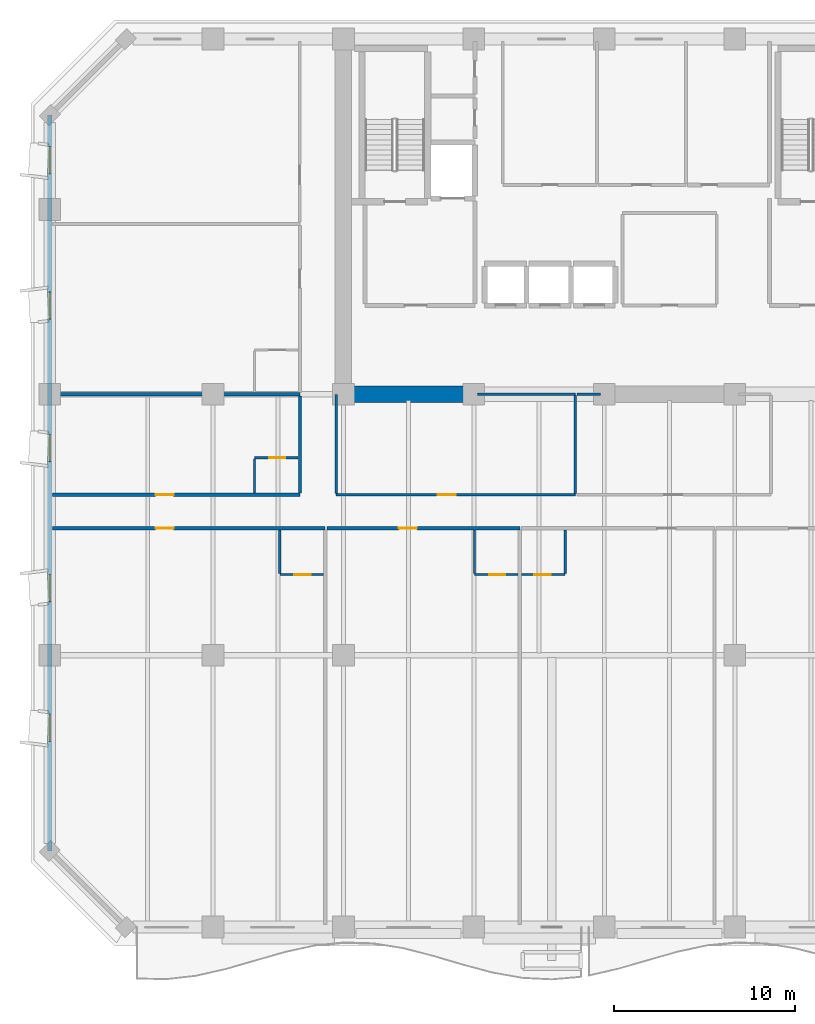
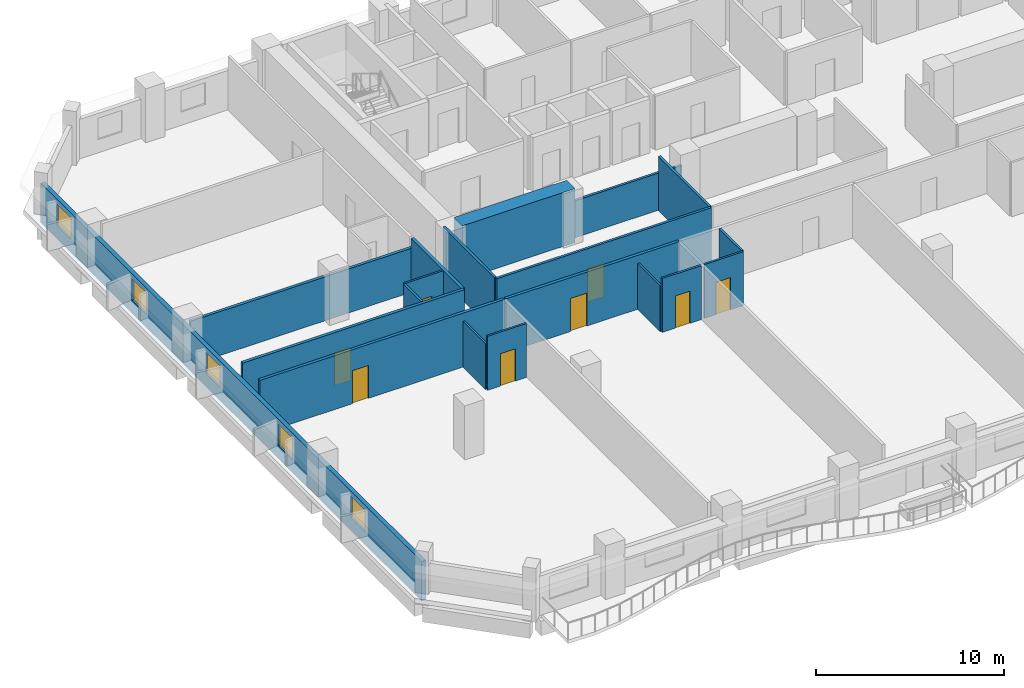
# One storey, part 4 of 15: 20 walls, 8 doors, 5 windows, 13 openings.
"""IFC4 building model written with IfcOpenShell, lengths in metres."""

from ifc_helpers import new_model, si_unit, direction, frame, frame_2d, origin, place, context, subcontext, project, spatial, rectangle, extrude, material, layer, layer_set, type_object, element, fill, save


model = new_model("IFC4")

# Units and contexts
model_context = context("Model", 3, precision=1e-05, world=origin(), true_north=direction((0.0, 1.0)))
body_context = subcontext(model_context, "Body", "Model", "MODEL_VIEW")
ifc_project = project(units=[si_unit("LENGTHUNIT", "METRE"), si_unit("AREAUNIT", "SQUARE_METRE"), si_unit("VOLUMEUNIT", "CUBIC_METRE"), si_unit("PLANEANGLEUNIT", "RADIAN"), si_unit("MASSUNIT", "GRAM", prefix="KILO")], contexts=[model_context])

# Site, building, storey
site_placement = place(None, origin())
site = spatial("IfcSite", under=ifc_project, at=site_placement, CompositionType="ELEMENT")
building_placement = place(site_placement, origin())
building = spatial("IfcBuilding", under=site, at=building_placement, Name="Kaelvorn Grand Hotel", CompositionType="ELEMENT")
storey_placement = place(building_placement, frame((0.0, 0.0, 104.300048828125)))
storey = spatial("IfcBuildingStorey", under=building, at=storey_placement, Name="L24", CompositionType="ELEMENT", Elevation=104.300048828125)

# Wall
ifc_material_1 = material(Name="Concrete C60/75", Category="concrete")
ifc_layer_1 = layer(ifc_material_1, 0.89990234375)
ifc_layer_set_1 = layer_set([ifc_layer_1], Name="Concrete C60/75")
wall_type_1 = type_object("IfcWallType", Name="WL-CORE-900-C60", PredefinedType="SHEAR", material=ifc_layer_set_1)
wall_1_placement = place(storey_placement, frame((16.655029296875, 29.39990234375, 0.0), z_axis=(0.0, 0.0, 1.0), x_axis=(1.0, 0.0, 0.0)))
element("IfcWall", 1, at=wall_1_placement, inside=storey, type_object=wall_type_1, Name="L24 Rear-Core Coupled Shear Pier S1", PredefinedType="SHEAR", context=body_context, shape_type="SweptSolid", body=[
    extrude(rectangle(XDim=6.945068359375, YDim=0.89990234375, at=frame_2d((3.47265625, 0.0))), origin(), (0.0, 0.0, 1.0), 3.510009765625),
])

# Wall, openings, windows
ifc_material_2 = material(Name="Concrete C40/50", Category="concrete")
ifc_layer_2 = layer(ifc_material_2, 0.260009765625)
ifc_layer_set_2 = layer_set([ifc_layer_2], Name="Concrete C40/50")
wall_type_2 = type_object("IfcWallType", Name="WL-EXT-260-C40", PredefinedType="SOLIDWALL", material=ifc_layer_set_2)
wall_2_placement = place(storey_placement, frame((0.0, 44.800048828125, 0.0), z_axis=(0.0, 0.0, 1.0), x_axis=(0.0, -1.0, 0.0)))
wall_2 = element("IfcWall", 2, at=wall_2_placement, inside=storey, type_object=wall_type_2, Name="L24 Exterior Architectural Concrete Wall 07", PredefinedType="SOLIDWALL", context=body_context, shape_type="SweptSolid", body=[
    extrude(rectangle(XDim=40.60009765625, YDim=0.260009765625, at=frame_2d((20.300048828125, 0.0))), origin(), (0.0, 0.0, 1.0), 2.56005859375),
])
opening_1_placement = place(wall_2_placement, frame((33.050048828125, 0.0, 0.85009765625)))
opening_1 = element("IfcOpeningElement", 3, at=opening_1_placement, cuts=wall_2, Name="Opening W10", PredefinedType="OPENING", context=body_context, shape_type="SweptSolid", body=[
    extrude(rectangle(XDim=1.5, YDim=1.39990234375, at=frame_2d((0.75, 0.699951171875))), frame((0.0, 0.14013671875, 0.0), z_axis=(0.0, -1.0, 0.0), x_axis=(1.0, 0.0, 0.0)), (0.0, 0.0, 1.0), 0.280029296875),
])
opening_2_placement = place(wall_2_placement, frame((25.35009765625, 0.0, 0.85009765625)))
opening_2 = element("IfcOpeningElement", 4, at=opening_2_placement, cuts=wall_2, Name="Opening W10", PredefinedType="OPENING", context=body_context, shape_type="SweptSolid", body=[
    extrude(rectangle(XDim=1.5, YDim=1.39990234375, at=frame_2d((0.75, 0.699951171875))), frame((0.0, 0.14013671875, 0.0), z_axis=(0.0, -1.0, 0.0), x_axis=(1.0, 0.0, 0.0)), (0.0, 0.0, 1.0), 0.280029296875),
])
opening_3_placement = place(wall_2_placement, frame((17.625, 0.0, 0.85009765625)))
opening_3 = element("IfcOpeningElement", 5, at=opening_3_placement, cuts=wall_2, Name="Opening W10", PredefinedType="OPENING", context=body_context, shape_type="SweptSolid", body=[
    extrude(rectangle(XDim=1.5, YDim=1.39990234375, at=frame_2d((0.75, 0.699951171875))), frame((0.0, 0.14013671875, 0.0), z_axis=(0.0, -1.0, 0.0), x_axis=(1.0, 0.0, 0.0)), (0.0, 0.0, 1.0), 0.280029296875),
])
opening_4_placement = place(wall_2_placement, frame((9.75, 0.0, 0.85009765625)))
opening_4 = element("IfcOpeningElement", 6, at=opening_4_placement, cuts=wall_2, Name="Opening W10", PredefinedType="OPENING", context=body_context, shape_type="SweptSolid", body=[
    extrude(rectangle(XDim=1.5, YDim=1.39990234375, at=frame_2d((0.75, 0.699951171875))), frame((0.0, 0.14013671875, 0.0), z_axis=(0.0, -1.0, 0.0), x_axis=(1.0, 0.0, 0.0)), (0.0, 0.0, 1.0), 0.280029296875),
])
opening_5_placement = place(wall_2_placement, frame((1.735107421875, 0.0, 0.85009765625)))
opening_5 = element("IfcOpeningElement", 7, at=opening_5_placement, cuts=wall_2, Name="Opening W10", PredefinedType="OPENING", context=body_context, shape_type="SweptSolid", body=[
    extrude(rectangle(XDim=1.5, YDim=1.39990234375, at=frame_2d((0.75, 0.699951171875))), frame((0.0, 0.14013671875, 0.0), z_axis=(0.0, -1.0, 0.0), x_axis=(1.0, 0.0, 0.0)), (0.0, 0.0, 1.0), 0.280029296875),
])
ifc_material_3 = material(Name="Laminated Low-E Glass", Category="glass")
window_type = type_object("IfcWindowType", Name="WIN-COR-1500x1400", PartitioningType="SINGLE_PANEL", PredefinedType="WINDOW", material=ifc_material_3)
window_1_placement = place(opening_1_placement, origin())
window_1 = element("IfcWindow", 8, at=window_1_placement, inside=storey, type_object=window_type, Name="L24 W Wing Tilted-Frame Ribbon Window W01", OverallHeight=1.39990234375, OverallWidth=1.5, PartitioningType="SINGLE_PANEL", PredefinedType="WINDOW", context=body_context, shape_type="SweptSolid", body=[
    extrude(rectangle(XDim=1.5, YDim=1.39990234375, at=frame_2d((0.75, 0.699951171875))), frame((0.0, 0.030029296875, 0.0), z_axis=(0.0, -1.0, 0.0), x_axis=(1.0, 0.0, 0.0)), (0.0, 0.0, 1.0), 0.06005859375),
])
fill(opening_1, window_1)
window_2_placement = place(opening_2_placement, origin())
window_2 = element("IfcWindow", 9, at=window_2_placement, inside=storey, type_object=window_type, Name="L24 W Wing Tilted-Frame Ribbon Window W02", OverallHeight=1.39990234375, OverallWidth=1.5, PartitioningType="SINGLE_PANEL", PredefinedType="WINDOW", context=body_context, shape_type="SweptSolid", body=[
    extrude(rectangle(XDim=1.5, YDim=1.39990234375, at=frame_2d((0.75, 0.699951171875))), frame((0.0, 0.030029296875, 0.0), z_axis=(0.0, -1.0, 0.0), x_axis=(1.0, 0.0, 0.0)), (0.0, 0.0, 1.0), 0.06005859375),
])
fill(opening_2, window_2)
window_3_placement = place(opening_3_placement, origin())
window_3 = element("IfcWindow", 10, at=window_3_placement, inside=storey, type_object=window_type, Name="L24 W Wing Tilted-Frame Ribbon Window W03", OverallHeight=1.39990234375, OverallWidth=1.5, PartitioningType="SINGLE_PANEL", PredefinedType="WINDOW", context=body_context, shape_type="SweptSolid", body=[
    extrude(rectangle(XDim=1.5, YDim=1.39990234375, at=frame_2d((0.75, 0.699951171875))), frame((0.0, 0.030029296875, 0.0), z_axis=(0.0, -1.0, 0.0), x_axis=(1.0, 0.0, 0.0)), (0.0, 0.0, 1.0), 0.06005859375),
])
fill(opening_3, window_3)
window_4_placement = place(opening_4_placement, origin())
window_4 = element("IfcWindow", 11, at=window_4_placement, inside=storey, type_object=window_type, Name="L24 W Wing Tilted-Frame Ribbon Window W04", OverallHeight=1.39990234375, OverallWidth=1.5, PartitioningType="SINGLE_PANEL", PredefinedType="WINDOW", context=body_context, shape_type="SweptSolid", body=[
    extrude(rectangle(XDim=1.5, YDim=1.39990234375, at=frame_2d((0.75, 0.699951171875))), frame((0.0, 0.030029296875, 0.0), z_axis=(0.0, -1.0, 0.0), x_axis=(1.0, 0.0, 0.0)), (0.0, 0.0, 1.0), 0.06005859375),
])
fill(opening_4, window_4)
window_5_placement = place(opening_5_placement, origin())
window_5 = element("IfcWindow", 12, at=window_5_placement, inside=storey, type_object=window_type, Name="L24 W Wing Tilted-Frame Ribbon Window W05", OverallHeight=1.39990234375, OverallWidth=1.5, PartitioningType="SINGLE_PANEL", PredefinedType="WINDOW", context=body_context, shape_type="SweptSolid", body=[
    extrude(rectangle(XDim=1.5, YDim=1.39990234375, at=frame_2d((0.75, 0.699951171875))), frame((0.0, 0.030029296875, 0.0), z_axis=(0.0, -1.0, 0.0), x_axis=(1.0, 0.0, 0.0)), (0.0, 0.0, 1.0), 0.06005859375),
])
fill(opening_5, window_5)

# Wall, opening, door
ifc_material_4 = material(Name="Moisture-Resistant Tile & Stud Board")
ifc_layer_3 = layer(ifc_material_4, 0.125)
ifc_layer_set_3 = layer_set([ifc_layer_3], Name="Moisture-Resistant Tile & Stud Board")
wall_type_3 = type_object("IfcWallType", Name="WL-PART-125-WET", PredefinedType="PARTITIONING", material=ifc_layer_set_3)
wall_3_placement = place(storey_placement, frame((12.69287109375, 19.449951171875, 0.0), z_axis=(0.0, 0.0, 1.0), x_axis=(1.0, 0.0, 0.0)))
wall_3 = element("IfcWall", 13, at=wall_3_placement, inside=storey, type_object=wall_type_3, Name="L24 En-suite Bathroom L24-01 S Partition", PredefinedType="PARTITIONING", context=body_context, shape_type="SweptSolid", body=[
    extrude(rectangle(XDim=2.405029296875, YDim=0.125, at=frame_2d((1.20263671875, 0.0))), origin(), (0.0, 0.0, 1.0), 3.510009765625),
])
opening_6_placement = place(wall_3_placement, frame((0.800048828125, 0.0, 0.0)))
opening_6 = element("IfcOpeningElement", 14, at=opening_6_placement, cuts=wall_3, Name="Opening DI4", PredefinedType="OPENING", context=body_context, shape_type="SweptSolid", body=[
    extrude(rectangle(XDim=0.89990234375, YDim=2.10009765625, at=frame_2d((0.449951171875, 1.050048828125))), frame((0.0, 0.072509765625, 0.0), z_axis=(0.0, -1.0, 0.0), x_axis=(1.0, 0.0, 0.0)), (0.0, 0.0, 1.0), 0.14501953125),
])
ifc_material_5 = material(Name="Timber Veneer Leaf", Category="wood")
door_type_1 = type_object("IfcDoorType", Name="DR-INT-BATH-900x2100", OperationType="NOTDEFINED", PredefinedType="DOOR", material=ifc_material_5)
door_1_placement = place(opening_6_placement, origin())
door_1 = element("IfcDoor", 15, at=door_1_placement, inside=storey, type_object=door_type_1, Name="L24 En-suite Bathroom L24-01 Door", OperationType="SINGLE_SWING_LEFT", OverallHeight=2.10009765625, OverallWidth=0.89990234375, PredefinedType="DOOR", context=body_context, shape_type="SweptSolid", body=[
    extrude(rectangle(XDim=0.89990234375, YDim=2.10009765625, at=frame_2d((0.449951171875, 1.050048828125))), frame((0.0, 0.02490234375, 0.0), z_axis=(0.0, -1.0, 0.0), x_axis=(1.0, 0.0, 0.0)), (0.0, 0.0, 1.0), 0.050048828125),
])
fill(opening_6, door_1)

# Wall
wall_4_placement = place(storey_placement, frame((12.69287109375, 19.517578125, 0.0), z_axis=(0.0, 0.0, 1.0), x_axis=(0.0, 1.0, 0.0)))
element("IfcWall", 16, at=wall_4_placement, inside=storey, type_object=wall_type_3, Name="L24 En-suite Bathroom L24-01 W Partition", PredefinedType="PARTITIONING", context=body_context, shape_type="SweptSolid", body=[
    extrude(rectangle(XDim=2.387451171875, YDim=0.125, at=frame_2d((1.19384765625, 0.0))), origin(), (0.0, 0.0, 1.0), 2.976806640625),
])

# Wall, opening, door
wall_5_placement = place(storey_placement, frame((23.435791015625, 19.449951171875, 0.0), z_axis=(0.0, 0.0, 1.0), x_axis=(1.0, 0.0, 0.0)))
wall_5 = element("IfcWall", 17, at=wall_5_placement, inside=storey, type_object=wall_type_3, Name="L24 En-suite Bathroom L24-02 S Partition", PredefinedType="PARTITIONING", context=body_context, shape_type="SweptSolid", body=[
    extrude(rectangle(XDim=2.405029296875, YDim=0.125, at=frame_2d((1.20263671875, 0.0))), origin(), (0.0, 0.0, 1.0), 3.510009765625),
])
opening_7_placement = place(wall_5_placement, frame((0.800048828125, 0.0, 0.0)))
opening_7 = element("IfcOpeningElement", 18, at=opening_7_placement, cuts=wall_5, Name="Opening DI4", PredefinedType="OPENING", context=body_context, shape_type="SweptSolid", body=[
    extrude(rectangle(XDim=0.89990234375, YDim=2.10009765625, at=frame_2d((0.449951171875, 1.050048828125))), frame((0.0, 0.072509765625, 0.0), z_axis=(0.0, -1.0, 0.0), x_axis=(1.0, 0.0, 0.0)), (0.0, 0.0, 1.0), 0.14501953125),
])
door_2_placement = place(opening_7_placement, origin())
door_2 = element("IfcDoor", 19, at=door_2_placement, inside=storey, type_object=door_type_1, Name="L24 En-suite Bathroom L24-02 Door", OperationType="SINGLE_SWING_LEFT", OverallHeight=2.10009765625, OverallWidth=0.89990234375, PredefinedType="DOOR", context=body_context, shape_type="SweptSolid", body=[
    extrude(rectangle(XDim=0.89990234375, YDim=2.10009765625, at=frame_2d((0.449951171875, 1.050048828125))), frame((0.0, 0.02490234375, 0.0), z_axis=(0.0, -1.0, 0.0), x_axis=(1.0, 0.0, 0.0)), (0.0, 0.0, 1.0), 0.050048828125),
])
fill(opening_7, door_2)

# Wall
wall_6_placement = place(storey_placement, frame((23.435791015625, 19.517578125, 0.0), z_axis=(0.0, 0.0, 1.0), x_axis=(0.0, 1.0, 0.0)))
element("IfcWall", 20, at=wall_6_placement, inside=storey, type_object=wall_type_3, Name="L24 En-suite Bathroom L24-02 W Partition", PredefinedType="PARTITIONING", context=body_context, shape_type="SweptSolid", body=[
    extrude(rectangle(XDim=2.387451171875, YDim=0.125, at=frame_2d((1.19384765625, 0.0))), origin(), (0.0, 0.0, 1.0), 2.976806640625),
])

# Wall, opening, door
wall_7_placement = place(storey_placement, frame((26.03076171875, 19.449951171875, 0.0), z_axis=(0.0, 0.0, 1.0), x_axis=(1.0, 0.0, 0.0)))
wall_7 = element("IfcWall", 21, at=wall_7_placement, inside=storey, type_object=wall_type_3, Name="L24 En-suite Bathroom L24-03 S Partition", PredefinedType="PARTITIONING", context=body_context, shape_type="SweptSolid", body=[
    extrude(rectangle(XDim=2.405029296875, YDim=0.125, at=frame_2d((1.20263671875, 0.0))), origin(), (0.0, 0.0, 1.0), 3.510009765625),
])
opening_8_placement = place(wall_7_placement, frame((0.705078125, 0.0, 0.0)))
opening_8 = element("IfcOpeningElement", 22, at=opening_8_placement, cuts=wall_7, Name="Opening DI4", PredefinedType="OPENING", context=body_context, shape_type="SweptSolid", body=[
    extrude(rectangle(XDim=0.89990234375, YDim=2.10009765625, at=frame_2d((0.449951171875, 1.050048828125))), frame((0.0, 0.072509765625, 0.0), z_axis=(0.0, -1.0, 0.0), x_axis=(1.0, 0.0, 0.0)), (0.0, 0.0, 1.0), 0.14501953125),
])
door_3_placement = place(opening_8_placement, origin())
door_3 = element("IfcDoor", 23, at=door_3_placement, inside=storey, type_object=door_type_1, Name="L24 En-suite Bathroom L24-03 Door", OperationType="SINGLE_SWING_LEFT", OverallHeight=2.10009765625, OverallWidth=0.89990234375, PredefinedType="DOOR", context=body_context, shape_type="SweptSolid", body=[
    extrude(rectangle(XDim=0.89990234375, YDim=2.10009765625, at=frame_2d((0.449951171875, 1.050048828125))), frame((0.0, 0.02490234375, 0.0), z_axis=(0.0, -1.0, 0.0), x_axis=(1.0, 0.0, 0.0)), (0.0, 0.0, 1.0), 0.050048828125),
])
fill(opening_8, door_3)

# Wall
wall_8_placement = place(storey_placement, frame((28.435791015625, 19.517578125, 0.0), z_axis=(0.0, 0.0, 1.0), x_axis=(0.0, 1.0, 0.0)))
element("IfcWall", 24, at=wall_8_placement, inside=storey, type_object=wall_type_3, Name="L24 En-suite Bathroom L24-03 E Partition", PredefinedType="PARTITIONING", context=body_context, shape_type="SweptSolid", body=[
    extrude(rectangle(XDim=2.387451171875, YDim=0.125, at=frame_2d((1.19384765625, 0.0))), origin(), (0.0, 0.0, 1.0), 3.510009765625),
])

# Wall, opening, door
wall_9_placement = place(storey_placement, frame((11.300048828125, 25.89990234375, 0.0), z_axis=(0.0, 0.0, 1.0), x_axis=(1.0, 0.0, 0.0)))
wall_9 = element("IfcWall", 25, at=wall_9_placement, inside=storey, type_object=wall_type_3, Name="L24 En-suite Bathroom L24-08 N Partition", PredefinedType="PARTITIONING", context=body_context, shape_type="SweptSolid", body=[
    extrude(rectangle(XDim=2.405029296875, YDim=0.125, at=frame_2d((1.20263671875, 0.0))), origin(), (0.0, 0.0, 1.0), 3.510009765625),
])
opening_9_placement = place(wall_9_placement, frame((0.800048828125, 0.0, 0.0)))
opening_9 = element("IfcOpeningElement", 26, at=opening_9_placement, cuts=wall_9, Name="Opening DI4", PredefinedType="OPENING", context=body_context, shape_type="SweptSolid", body=[
    extrude(rectangle(XDim=0.89990234375, YDim=2.10009765625, at=frame_2d((0.449951171875, 1.050048828125))), frame((0.0, 0.072509765625, 0.0), z_axis=(0.0, -1.0, 0.0), x_axis=(1.0, 0.0, 0.0)), (0.0, 0.0, 1.0), 0.14501953125),
])
door_4_placement = place(opening_9_placement, origin())
door_4 = element("IfcDoor", 27, at=door_4_placement, inside=storey, type_object=door_type_1, Name="L24 En-suite Bathroom L24-08 Door", OperationType="SINGLE_SWING_LEFT", OverallHeight=2.10009765625, OverallWidth=0.89990234375, PredefinedType="DOOR", context=body_context, shape_type="SweptSolid", body=[
    extrude(rectangle(XDim=0.89990234375, YDim=2.10009765625, at=frame_2d((0.449951171875, 1.050048828125))), frame((0.0, 0.02490234375, 0.0), z_axis=(0.0, -1.0, 0.0), x_axis=(1.0, 0.0, 0.0)), (0.0, 0.0, 1.0), 0.050048828125),
])
fill(opening_9, door_4)

# Wall
wall_10_placement = place(storey_placement, frame((11.300048828125, 23.945068359375, 0.0), z_axis=(0.0, 0.0, 1.0), x_axis=(0.0, 1.0, 0.0)))
element("IfcWall", 28, at=wall_10_placement, inside=storey, type_object=wall_type_3, Name="L24 En-suite Bathroom L24-08 W Partition", PredefinedType="PARTITIONING", context=body_context, shape_type="SweptSolid", body=[
    extrude(rectangle(XDim=1.887451171875, YDim=0.125, at=frame_2d((0.94384765625, 0.0))), origin(), (0.0, 0.0, 1.0), 3.510009765625),
])

# Wall, opening, door
ifc_material_6 = material(Name="Acoustic Gypsum & Stud Partition")
ifc_layer_4 = layer(ifc_material_6, 0.14990234375)
ifc_layer_set_4 = layer_set([ifc_layer_4], Name="Acoustic Gypsum & Stud Partition")
wall_type_4 = type_object("IfcWallType", Name="WL-PART-150-EI60", PredefinedType="PARTITIONING", material=ifc_layer_set_4)
wall_11_placement = place(storey_placement, frame((15.800048828125, 23.85009765625, 0.0), z_axis=(0.0, 0.0, 1.0), x_axis=(1.0, 0.0, 0.0)))
wall_11 = element("IfcWall", 29, at=wall_11_placement, inside=storey, type_object=wall_type_4, Name="L24 Club Billiards Lounge S Partition", PredefinedType="PARTITIONING", context=body_context, shape_type="SweptSolid", body=[
    extrude(rectangle(XDim=13.199951171875, YDim=0.14990234375, at=frame_2d((6.60009765625, 0.0))), origin(), (0.0, 0.0, 1.0), 3.510009765625),
])
opening_10_placement = place(wall_11_placement, frame((5.60009765625, 0.0, 0.0)))
opening_10 = element("IfcOpeningElement", 30, at=opening_10_placement, cuts=wall_11, Name="Opening DI3", PredefinedType="OPENING", context=body_context, shape_type="SweptSolid", body=[
    extrude(rectangle(XDim=1.0, YDim=2.14990234375, at=frame_2d((0.5, 1.074951171875))), frame((0.0, 0.0849609375, 0.0), z_axis=(0.0, -1.0, 0.0), x_axis=(1.0, 0.0, 0.0)), (0.0, 0.0, 1.0), 0.169921875),
])
ifc_material_7 = material(Name="Timber Veneer Fire Leaf", Category="wood")
door_type_2 = type_object("IfcDoorType", Name="DR-INT-GUEST-1000x2150", OperationType="NOTDEFINED", PredefinedType="DOOR", material=ifc_material_7)
door_5_placement = place(opening_10_placement, origin())
door_5 = element("IfcDoor", 31, at=door_5_placement, inside=storey, type_object=door_type_2, Name="L24 Club Billiards Lounge Door", OperationType="SINGLE_SWING_RIGHT", OverallHeight=2.14990234375, OverallWidth=1.0, PredefinedType="DOOR", context=body_context, shape_type="SweptSolid", body=[
    extrude(rectangle(XDim=1.0, YDim=2.14990234375, at=frame_2d((0.5, 1.074951171875))), frame((0.0, 0.02490234375, 0.0), z_axis=(0.0, -1.0, 0.0), x_axis=(1.0, 0.0, 0.0)), (0.0, 0.0, 1.0), 0.050048828125),
])
fill(opening_10, door_5)

# Walls
wall_12_placement = place(storey_placement, frame((23.610107421875, 29.39990234375, 0.0), z_axis=(0.0, 0.0, 1.0), x_axis=(1.0, 0.0, 0.0)))
element("IfcWall", 32, at=wall_12_placement, inside=storey, type_object=wall_type_4, Name="L24 Club Billiards Lounge N Partition", PredefinedType="PARTITIONING", context=body_context, shape_type="SweptSolid", body=[
    extrude(rectangle(XDim=5.389892578125, YDim=0.14990234375, at=frame_2d((2.69482421875, 0.0))), origin(), (0.0, 0.0, 1.0), 2.409912109375),
])
wall_13_placement = place(storey_placement, frame((15.800048828125, 23.929931640625, 0.0), z_axis=(0.0, 0.0, 1.0), x_axis=(0.0, 1.0, 0.0)))
element("IfcWall", 33, at=wall_13_placement, inside=storey, type_object=wall_type_4, Name="L24 Club Billiards Lounge W Partition", PredefinedType="PARTITIONING", context=body_context, shape_type="SweptSolid", body=[
    extrude(rectangle(XDim=5.4599609375, YDim=0.14990234375, at=frame_2d((2.72998046875, 0.0))), origin(), (0.0, 0.0, 1.0), 3.510009765625),
])
wall_14_placement = place(storey_placement, frame((29.0, 23.929931640625, 0.0), z_axis=(0.0, 0.0, 1.0), x_axis=(0.0, 1.0, 0.0)))
element("IfcWall", 34, at=wall_14_placement, inside=storey, type_object=wall_type_4, Name="L24 Club Billiards Lounge E Partition", PredefinedType="PARTITIONING", context=body_context, shape_type="SweptSolid", body=[
    extrude(rectangle(XDim=5.39013671875, YDim=0.14990234375, at=frame_2d((2.695068359375, 0.0))), origin(), (0.0, 0.0, 1.0), 3.510009765625),
])
wall_15_placement = place(storey_placement, frame((29.080078125, 29.39990234375, 0.0), z_axis=(0.0, 0.0, 1.0), x_axis=(1.0, 0.0, 0.0)))
element("IfcWall", 35, at=wall_15_placement, inside=storey, type_object=wall_type_4, Name="L24 Private Chef Kitchen N Partition (1)", PredefinedType="PARTITIONING", context=body_context, shape_type="SweptSolid", body=[
    extrude(rectangle(XDim=1.309814453125, YDim=0.14990234375, at=frame_2d((0.65478515625, 0.0))), origin(), (0.0, 0.0, 1.0), 2.409912109375),
])

# Wall, opening, door
ifc_layer_5 = layer(ifc_material_6, 0.179931640625)
ifc_layer_set_5 = layer_set([ifc_layer_5], Name="Acoustic Gypsum & Stud Partition")
wall_type_5 = type_object("IfcWallType", Name="WL-PART-180-EI60", PredefinedType="PARTITIONING", material=ifc_layer_set_5)
wall_16_placement = place(storey_placement, frame((0.14990234375, 22.0, 0.0), z_axis=(0.0, 0.0, 1.0), x_axis=(1.0, 0.0, 0.0)))
wall_16 = element("IfcWall", 36, at=wall_16_placement, inside=storey, type_object=wall_type_5, Name="L24 Presidential Sky Suite L24-01 N Partition", PredefinedType="PARTITIONING", context=body_context, shape_type="SweptSolid", body=[
    extrude(rectangle(XDim=15.04296875, YDim=0.179931640625, at=frame_2d((7.521484375, 0.0))), origin(), (0.0, 0.0, 1.0), 3.510009765625),
])
opening_11_placement = place(wall_16_placement, frame((5.68505859375, 0.0, 0.0)))
opening_11 = element("IfcOpeningElement", 37, at=opening_11_placement, cuts=wall_16, Name="Opening DI3", PredefinedType="OPENING", context=body_context, shape_type="SweptSolid", body=[
    extrude(rectangle(XDim=1.0, YDim=2.14990234375, at=frame_2d((0.5, 1.074951171875))), frame((0.0, 0.10009765625, 0.0), z_axis=(0.0, -1.0, 0.0), x_axis=(1.0, 0.0, 0.0)), (0.0, 0.0, 1.0), 0.199951171875),
])
door_6_placement = place(opening_11_placement, origin())
door_6 = element("IfcDoor", 38, at=door_6_placement, inside=storey, type_object=door_type_2, Name="L24 Presidential Sky Suite L24-01 Door", OperationType="SINGLE_SWING_RIGHT", OverallHeight=2.14990234375, OverallWidth=1.0, PredefinedType="DOOR", context=body_context, shape_type="SweptSolid", body=[
    extrude(rectangle(XDim=1.0, YDim=2.14990234375, at=frame_2d((0.5, 1.074951171875))), frame((0.0, 0.02490234375, 0.0), z_axis=(0.0, -1.0, 0.0), x_axis=(1.0, 0.0, 0.0)), (0.0, 0.0, 1.0), 0.050048828125),
])
fill(opening_11, door_6)

wall_17_placement = place(storey_placement, frame((15.287841796875, 22.0, 0.0), z_axis=(0.0, 0.0, 1.0), x_axis=(1.0, 0.0, 0.0)))
wall_17 = element("IfcWall", 39, at=wall_17_placement, inside=storey, type_object=wall_type_5, Name="L24 Deluxe Panoramic Suite L24-02 N Partition", PredefinedType="PARTITIONING", context=body_context, shape_type="SweptSolid", body=[
    extrude(rectangle(XDim=10.64794921875, YDim=0.179931640625, at=frame_2d((5.323974609375, 0.0))), origin(), (0.0, 0.0, 1.0), 3.510009765625),
])
opening_12_placement = place(wall_17_placement, frame((3.969970703125, 0.0, 0.0)))
opening_12 = element("IfcOpeningElement", 40, at=opening_12_placement, cuts=wall_17, Name="Opening DI3", PredefinedType="OPENING", context=body_context, shape_type="SweptSolid", body=[
    extrude(rectangle(XDim=1.0, YDim=2.14990234375, at=frame_2d((0.5, 1.074951171875))), frame((0.0, 0.10009765625, 0.0), z_axis=(0.0, -1.0, 0.0), x_axis=(1.0, 0.0, 0.0)), (0.0, 0.0, 1.0), 0.199951171875),
])
door_7_placement = place(opening_12_placement, origin())
door_7 = element("IfcDoor", 41, at=door_7_placement, inside=storey, type_object=door_type_2, Name="L24 Deluxe Panoramic Suite L24-02 Door", OperationType="SINGLE_SWING_RIGHT", OverallHeight=2.14990234375, OverallWidth=1.0, PredefinedType="DOOR", context=body_context, shape_type="SweptSolid", body=[
    extrude(rectangle(XDim=1.0, YDim=2.14990234375, at=frame_2d((0.5, 1.074951171875))), frame((0.0, 0.02490234375, 0.0), z_axis=(0.0, -1.0, 0.0), x_axis=(1.0, 0.0, 0.0)), (0.0, 0.0, 1.0), 0.050048828125),
])
fill(opening_12, door_7)

wall_18_placement = place(storey_placement, frame((0.14990234375, 23.85009765625, 0.0), z_axis=(0.0, 0.0, 1.0), x_axis=(1.0, 0.0, 0.0)))
wall_18 = element("IfcWall", 42, at=wall_18_placement, inside=storey, type_object=wall_type_5, Name="L24 West Chamfer Corner Suite L24-08 S Partition", PredefinedType="PARTITIONING", context=body_context, shape_type="SweptSolid", body=[
    extrude(rectangle(XDim=13.650146484375, YDim=0.179931640625, at=frame_2d((6.8251953125, 0.0))), origin(), (0.0, 0.0, 1.0), 3.510009765625),
])
opening_13_placement = place(wall_18_placement, frame((5.68505859375, 0.0, 0.0)))
opening_13 = element("IfcOpeningElement", 43, at=opening_13_placement, cuts=wall_18, Name="Opening DI3", PredefinedType="OPENING", context=body_context, shape_type="SweptSolid", body=[
    extrude(rectangle(XDim=1.0, YDim=2.14990234375, at=frame_2d((0.5, 1.074951171875))), frame((0.0, 0.10009765625, 0.0), z_axis=(0.0, -1.0, 0.0), x_axis=(1.0, 0.0, 0.0)), (0.0, 0.0, 1.0), 0.199951171875),
])
door_8_placement = place(opening_13_placement, origin())
door_8 = element("IfcDoor", 44, at=door_8_placement, inside=storey, type_object=door_type_2, Name="L24 West Chamfer Corner Suite L24-08 Door", OperationType="SINGLE_SWING_RIGHT", OverallHeight=2.14990234375, OverallWidth=1.0, PredefinedType="DOOR", context=body_context, shape_type="SweptSolid", body=[
    extrude(rectangle(XDim=1.0, YDim=2.14990234375, at=frame_2d((0.5, 1.074951171875))), frame((0.0, 0.02490234375, 0.0), z_axis=(0.0, -1.0, 0.0), x_axis=(1.0, 0.0, 0.0)), (0.0, 0.0, 1.0), 0.050048828125),
])
fill(opening_13, door_8)

# Walls
wall_19_placement = place(storey_placement, frame((0.14990234375, 29.39990234375, 0.0), z_axis=(0.0, 0.0, 1.0), x_axis=(1.0, 0.0, 0.0)))
element("IfcWall", 45, at=wall_19_placement, inside=storey, type_object=wall_type_5, Name="L24 West Chamfer Corner Suite L24-08 N Partition", PredefinedType="PARTITIONING", context=body_context, shape_type="SweptSolid", body=[
    extrude(rectangle(XDim=13.650146484375, YDim=0.179931640625, at=frame_2d((6.8251953125, 0.0))), origin(), (0.0, 0.0, 1.0), 2.85986328125),
])
wall_20_placement = place(storey_placement, frame((13.800048828125, 23.945068359375, 0.0), z_axis=(0.0, 0.0, 1.0), x_axis=(0.0, 1.0, 0.0)))
element("IfcWall", 46, at=wall_20_placement, inside=storey, type_object=wall_type_5, Name="L24 West Chamfer Corner Suite L24-08 E Partition", PredefinedType="PARTITIONING", context=body_context, shape_type="SweptSolid", body=[
    extrude(rectangle(XDim=5.35986328125, YDim=0.179931640625, at=frame_2d((2.679931640625, 0.0))), origin(), (0.0, 0.0, 1.0), 3.510009765625),
])

save(model, "model.ifc")
